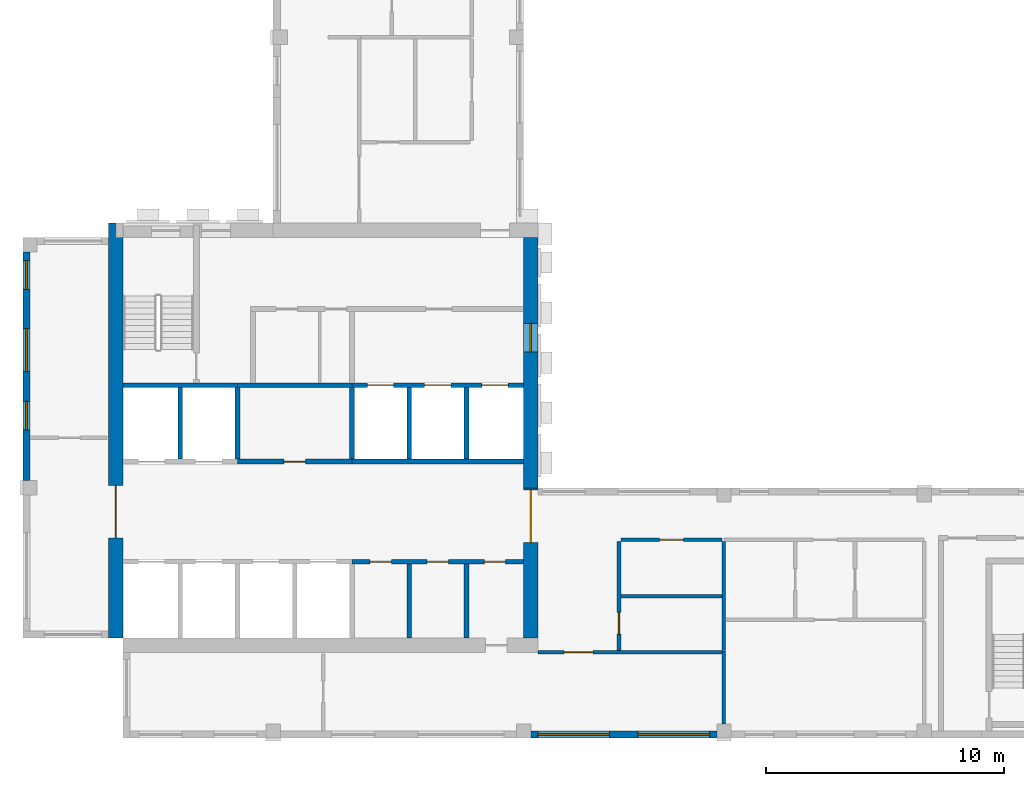
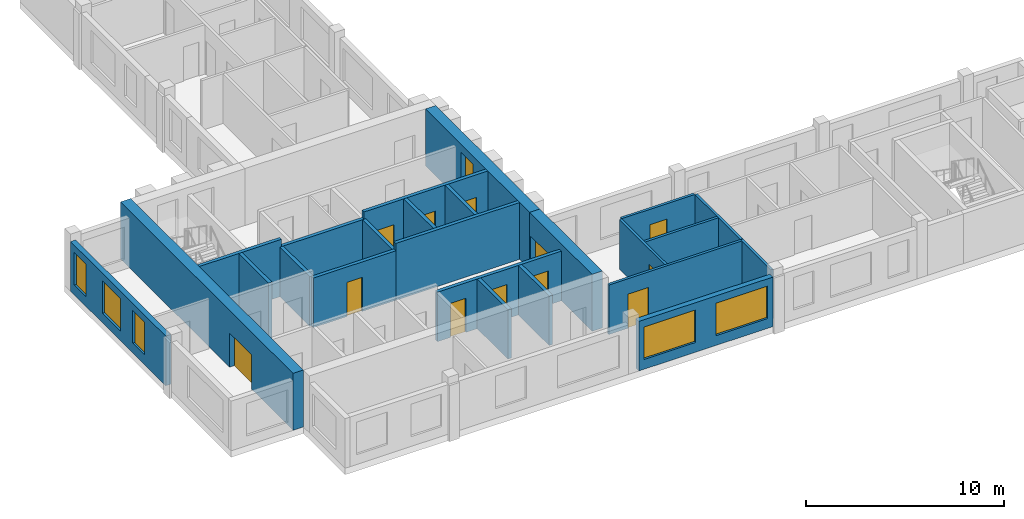
# One storey, part 2 of 10: 24 walls, 12 doors, 6 windows, 18 openings.
"""IFC4 building model written with IfcOpenShell, lengths in metres."""

from ifc_helpers import new_model, si_unit, direction, frame, frame_2d, origin, place, context, subcontext, project, spatial, rectangle, extrude, source, transform, mapped, material, layer, layer_set, type_object, element, fill, save


model = new_model("IFC4")

# Units and contexts
model_context = context("Model", 3, precision=1e-05, world=origin(), true_north=direction((0.0, 1.0)))
body_context = subcontext(model_context, "Body", "Model", "MODEL_VIEW")
ifc_project = project(units=[si_unit("LENGTHUNIT", "METRE"), si_unit("AREAUNIT", "SQUARE_METRE"), si_unit("VOLUMEUNIT", "CUBIC_METRE"), si_unit("PLANEANGLEUNIT", "RADIAN"), si_unit("MASSUNIT", "GRAM", prefix="KILO")], contexts=[model_context])

# Site, building, storey
site_placement = place(None, origin())
site = spatial("IfcSite", under=ifc_project, at=site_placement, CompositionType="ELEMENT")
building_placement = place(site_placement, origin())
building = spatial("IfcBuilding", under=site, at=building_placement, Name="Aurelian Terraces", CompositionType="ELEMENT")
storey_placement = place(building_placement, frame((0.0, 0.0, 365.0)))
storey = spatial("IfcBuildingStorey", under=building, at=storey_placement, Name="L87", CompositionType="ELEMENT", Elevation=365.0)

# Wall
ifc_material_1 = material(Name="Gypsum board on steel studs", Category="steel")
ifc_layer_1 = layer(ifc_material_1, 0.2)
ifc_layer_set_1 = layer_set([ifc_layer_1], Name="Core partition 200")
wall_type_1 = type_object("IfcWallType", Name="Core partition 200", PredefinedType="PARTITIONING", material=ifc_layer_set_1)
wall_1_placement = place(storey_placement, frame((16.2, 4.2, 0.0), z_axis=(0.0, 0.0, 1.0), x_axis=(0.0, 1.0, 0.0)))
element("IfcWall", 1, at=wall_1_placement, inside=storey, type_object=wall_type_1, Name="L87 core wall CS-A5", PredefinedType="PARTITIONING", context=body_context, shape_type="SweptSolid", body=[
    extrude(rectangle(XDim=3.1, YDim=0.2, at=frame_2d((1.55, 0.0))), origin(), (0.0, 0.0, 1.0), 3.05),
])

# Wall, openings, windows
ifc_material_2 = material(Name="Terracotta rainscreen cladding", Category="masonry")
ifc_layer_2 = layer(ifc_material_2, 0.3)
ifc_layer_set_2 = layer_set([ifc_layer_2], Name="EW-300")
wall_type_2 = type_object("IfcWallType", Name="EW-300", PredefinedType="STANDARD", material=ifc_layer_set_2)
wall_2_placement = place(storey_placement, frame((21.3, 0.15, 0.0), z_axis=(0.0, 0.0, 1.0), x_axis=(1.0, 0.0, 0.0)))
wall_2 = element("IfcWall", 2, at=wall_2_placement, inside=storey, type_object=wall_type_2, Name="External wall L87 F01.3", PredefinedType="STANDARD", context=body_context, shape_type="SweptSolid", body=[
    extrude(rectangle(XDim=7.8, YDim=0.3, at=frame_2d((3.9, 0.0))), origin(), (0.0, 0.0, 1.0), 3.05),
])
shared_shape_1 = source(origin(), body_context, "Body", "SweptSolid", [
    extrude(rectangle(XDim=3.0, YDim=2.0, at=frame_2d((1.5, 1.0))), frame((0.0, 0.16, 0.0), z_axis=(0.0, -1.0, 0.0), x_axis=(1.0, 0.0, 0.0)), (0.0, 0.0, 1.0), 0.32),
])
opening_1_placement = place(wall_2_placement, frame((0.3, 0.0, 0.6)))
opening_1 = element("IfcOpeningElement", 3, at=opening_1_placement, cuts=wall_2, Name="Opening W3020", PredefinedType="OPENING", context=body_context, shape_type="MappedRepresentation", body=[
    mapped(shared_shape_1, transform((0.0, 0.0, 0.0), scale=1.0)),
])
opening_2_placement = place(wall_2_placement, frame((4.5, 0.0, 0.6)))
opening_2 = element("IfcOpeningElement", 4, at=opening_2_placement, cuts=wall_2, Name="Opening W3020", PredefinedType="OPENING", context=body_context, shape_type="MappedRepresentation", body=[
    mapped(shared_shape_1, transform((0.0, 0.0, 0.0), scale=1.0)),
])
ifc_material_3 = material(Name="Clear glazing", Category="glass")
window_type_1 = type_object("IfcWindowType", Name="W-3000x2000", PartitioningType="SINGLE_PANEL", PredefinedType="WINDOW", material=ifc_material_3)
shared_shape_2 = source(origin(), body_context, "Body", "SweptSolid", [
    extrude(rectangle(XDim=3.0, YDim=2.0, at=frame_2d((1.5, 1.0))), frame((0.0, 0.03, 0.0), z_axis=(0.0, -1.0, 0.0), x_axis=(1.0, 0.0, 0.0)), (0.0, 0.0, 1.0), 0.06),
])
window_1_placement = place(opening_1_placement, origin())
window_1 = element("IfcWindow", 5, at=window_1_placement, inside=storey, type_object=window_type_1, Name="Window L87 L87-F01-03-0", OverallHeight=2.0, OverallWidth=3.0, PartitioningType="SINGLE_PANEL", PredefinedType="WINDOW", context=body_context, shape_type="MappedRepresentation", body=[
    mapped(shared_shape_2, transform((0.0, 0.0, 0.0), scale=1.0)),
])
fill(opening_1, window_1)
window_2_placement = place(opening_2_placement, origin())
window_2 = element("IfcWindow", 6, at=window_2_placement, inside=storey, type_object=window_type_1, Name="Window L87 L87-F01-03-1", OverallHeight=2.0, OverallWidth=3.0, PartitioningType="SINGLE_PANEL", PredefinedType="WINDOW", context=body_context, shape_type="MappedRepresentation", body=[
    mapped(shared_shape_2, transform((0.0, 0.0, 0.0), scale=1.0)),
])
fill(opening_2, window_2)

wall_3_placement = place(storey_placement, frame((0.15, 20.4, 0.0), z_axis=(0.0, 0.0, 1.0), x_axis=(0.0, -1.0, 0.0)))
wall_3 = element("IfcWall", 7, at=wall_3_placement, inside=storey, type_object=wall_type_2, Name="External wall L87 F12.22", PredefinedType="STANDARD", context=body_context, shape_type="SweptSolid", body=[
    extrude(rectangle(XDim=9.6, YDim=0.3, at=frame_2d((4.8, 0.0))), origin(), (0.0, 0.0, 1.0), 3.05),
])
shared_shape_3 = source(origin(), body_context, "Body", "SweptSolid", [
    extrude(rectangle(XDim=1.2, YDim=2.0, at=frame_2d((0.6, 1.0))), frame((0.0, 0.16, 0.0), z_axis=(0.0, -1.0, 0.0), x_axis=(1.0, 0.0, 0.0)), (0.0, 0.0, 1.0), 0.32),
])
opening_3_placement = place(wall_3_placement, frame((0.375, 0.0, 0.6)))
opening_3 = element("IfcOpeningElement", 8, at=opening_3_placement, cuts=wall_3, Name="Opening W1220", PredefinedType="OPENING", context=body_context, shape_type="MappedRepresentation", body=[
    mapped(shared_shape_3, transform((0.0, 0.0, 0.0), scale=1.0)),
])
shared_shape_4 = source(origin(), body_context, "Body", "SweptSolid", [
    extrude(rectangle(XDim=1.8, YDim=2.0, at=frame_2d((0.9, 1.0))), frame((0.0, 0.16, 0.0), z_axis=(0.0, -1.0, 0.0), x_axis=(1.0, 0.0, 0.0)), (0.0, 0.0, 1.0), 0.32),
])
opening_4_placement = place(wall_3_placement, frame((3.225, 0.0, 0.6)))
opening_4 = element("IfcOpeningElement", 9, at=opening_4_placement, cuts=wall_3, Name="Opening W1820", PredefinedType="OPENING", context=body_context, shape_type="MappedRepresentation", body=[
    mapped(shared_shape_4, transform((0.0, 0.0, 0.0), scale=1.0)),
])
opening_5_placement = place(wall_3_placement, frame((6.2688, 0.0, 0.6)))
opening_5 = element("IfcOpeningElement", 10, at=opening_5_placement, cuts=wall_3, Name="Opening W1220", PredefinedType="OPENING", context=body_context, shape_type="MappedRepresentation", body=[
    mapped(shared_shape_3, transform((0.0, 0.0, 0.0), scale=1.0)),
])
window_type_2 = type_object("IfcWindowType", Name="W-1200x2000", PartitioningType="SINGLE_PANEL", PredefinedType="WINDOW", material=ifc_material_3)
shared_shape_5 = source(origin(), body_context, "Body", "SweptSolid", [
    extrude(rectangle(XDim=1.2, YDim=2.0, at=frame_2d((0.6, 1.0))), frame((0.0, 0.03, 0.0), z_axis=(0.0, -1.0, 0.0), x_axis=(1.0, 0.0, 0.0)), (0.0, 0.0, 1.0), 0.06),
])
window_3_placement = place(opening_3_placement, origin())
window_3 = element("IfcWindow", 11, at=window_3_placement, inside=storey, type_object=window_type_2, Name="Window L87 L87-F12-22-0", OverallHeight=2.0, OverallWidth=1.2, PartitioningType="SINGLE_PANEL", PredefinedType="WINDOW", context=body_context, shape_type="MappedRepresentation", body=[
    mapped(shared_shape_5, transform((0.0, 0.0, 0.0), scale=1.0)),
])
fill(opening_3, window_3)
window_4_placement = place(opening_5_placement, origin())
window_4 = element("IfcWindow", 12, at=window_4_placement, inside=storey, type_object=window_type_2, Name="Window L87 L87-F12-22-G0-56", OverallHeight=2.0, OverallWidth=1.2, PartitioningType="SINGLE_PANEL", PredefinedType="WINDOW", context=body_context, shape_type="MappedRepresentation", body=[
    mapped(shared_shape_5, transform((0.0, 0.0, 0.0), scale=1.0)),
])
fill(opening_5, window_4)
window_type_3 = type_object("IfcWindowType", Name="W-1800x2000", PartitioningType="SINGLE_PANEL", PredefinedType="WINDOW", material=ifc_material_3)
shared_shape_6 = source(origin(), body_context, "Body", "SweptSolid", [
    extrude(rectangle(XDim=1.8, YDim=2.0, at=frame_2d((0.9, 1.0))), frame((0.0, 0.03, 0.0), z_axis=(0.0, -1.0, 0.0), x_axis=(1.0, 0.0, 0.0)), (0.0, 0.0, 1.0), 0.06),
])
window_5_placement = place(opening_4_placement, origin())
window_5 = element("IfcWindow", 13, at=window_5_placement, inside=storey, type_object=window_type_3, Name="Window L87 L87-F12-22-1", OverallHeight=2.0, OverallWidth=1.8, PartitioningType="SINGLE_PANEL", PredefinedType="WINDOW", context=body_context, shape_type="MappedRepresentation", body=[
    mapped(shared_shape_6, transform((0.0, 0.0, 0.0), scale=1.0)),
])
fill(opening_4, window_5)

# Wall, opening, door
ifc_layer_3 = layer(ifc_material_1, 0.15)
ifc_layer_set_3 = layer_set([ifc_layer_3], Name="Fire partition 150")
wall_type_3 = type_object("IfcWallType", Name="Fire partition 150", PredefinedType="PARTITIONING", material=ifc_layer_set_3)
wall_4_placement = place(storey_placement, frame((29.325, 8.325, 0.0), z_axis=(0.0, 0.0, 1.0), x_axis=(-1.0, 0.0, 0.0)))
wall_4 = element("IfcWall", 14, at=wall_4_placement, inside=storey, type_object=wall_type_3, Name="Corridor wall", PredefinedType="PARTITIONING", context=body_context, shape_type="SweptSolid", body=[
    extrude(rectangle(XDim=4.25, YDim=0.15, at=frame_2d((2.125, 0.0))), origin(), (0.0, 0.0, 1.0), 3.05),
])
shared_shape_7 = source(origin(), body_context, "Body", "SweptSolid", [
    extrude(rectangle(XDim=1.0, YDim=2.1, at=frame_2d((0.5, 1.05))), frame((0.0, 0.085, 0.0), z_axis=(0.0, -1.0, 0.0), x_axis=(1.0, 0.0, 0.0)), (0.0, 0.0, 1.0), 0.17),
])
opening_6_placement = place(wall_4_placement, frame((1.625, 0.0, 0.0)))
opening_6 = element("IfcOpeningElement", 15, at=opening_6_placement, cuts=wall_4, Name="Opening 787001", PredefinedType="OPENING", context=body_context, shape_type="MappedRepresentation", body=[
    mapped(shared_shape_7, transform((0.0, 0.0, 0.0), scale=1.0)),
])
ifc_material_4 = material(Name="Steel door leaf", Category="steel")
door_type_1 = type_object("IfcDoorType", Name="Entrance fire door 1000x2100 right", OperationType="SINGLE_SWING_RIGHT", PredefinedType="DOOR", material=ifc_material_4)
shared_shape_8 = source(origin(), body_context, "Body", "SweptSolid", [
    extrude(rectangle(XDim=1.0, YDim=2.1, at=frame_2d((0.5, 1.05))), frame((0.0, 0.025, 0.0), z_axis=(0.0, -1.0, 0.0), x_axis=(1.0, 0.0, 0.0)), (0.0, 0.0, 1.0), 0.05),
])
door_1_placement = place(opening_6_placement, origin())
door_1 = element("IfcDoor", 16, at=door_1_placement, inside=storey, type_object=door_type_1, Name="Door 787001", OperationType="SINGLE_SWING_RIGHT", OverallHeight=2.1, OverallWidth=1.0, PredefinedType="DOOR", context=body_context, shape_type="MappedRepresentation", body=[
    mapped(shared_shape_8, transform((0.0, 0.0, 0.0), scale=1.0)),
])
fill(opening_6, door_1)

# Walls
wall_5_placement = place(storey_placement, frame((29.4, 0.599, 0.0), z_axis=(0.0, 0.0, 1.0), x_axis=(0.0, 1.0, 0.0)))
element("IfcWall", 17, at=wall_5_placement, inside=storey, type_object=wall_type_3, Name="Party wall", PredefinedType="PARTITIONING", context=body_context, shape_type="SweptSolid", body=[
    extrude(rectangle(XDim=3.056, YDim=0.15, at=frame_2d((1.528, 0.0))), origin(), (0.0, 0.0, 1.0), 3.05),
])
ifc_material_5 = material(Name="Concrete fc' 40 MPa", Category="concrete")
ifc_layer_4 = layer(ifc_material_5, 0.2)
ifc_layer_set_4 = layer_set([ifc_layer_4], Name="Lift shaft wall 200")
wall_type_4 = type_object("IfcWallType", Name="Lift shaft wall 200", PredefinedType="SOLIDWALL", material=ifc_layer_set_4)
wall_6_placement = place(storey_placement, frame((9.0, 11.7, 0.0), z_axis=(0.0, 0.0, 1.0), x_axis=(0.0, 1.0, 0.0)))
element("IfcWall", 18, at=wall_6_placement, inside=storey, type_object=wall_type_4, Name="L87 core wall CD-B2", PredefinedType="SOLIDWALL", context=body_context, shape_type="SweptSolid", body=[
    extrude(rectangle(XDim=3.0, YDim=0.2, at=frame_2d((1.5, 0.0))), origin(), (0.0, 0.0, 1.0), 3.05),
])

# Wall, openings, doors
wall_7_placement = place(storey_placement, frame((13.8, 7.4, 0.0), z_axis=(0.0, 0.0, 1.0), x_axis=(1.0, 0.0, 0.0)))
wall_7 = element("IfcWall", 19, at=wall_7_placement, inside=storey, type_object=wall_type_4, Name="L87 core wall CF-AF2", PredefinedType="SOLIDWALL", context=body_context, shape_type="SweptSolid", body=[
    extrude(rectangle(XDim=7.2, YDim=0.2, at=frame_2d((3.6, 0.0))), origin(), (0.0, 0.0, 1.0), 3.05),
])
shared_shape_9 = source(origin(), body_context, "Body", "SweptSolid", [
    extrude(rectangle(XDim=0.9, YDim=2.1, at=frame_2d((0.45, 1.05))), frame((0.0, 0.11, 0.0), z_axis=(0.0, -1.0, 0.0), x_axis=(1.0, 0.0, 0.0)), (0.0, 0.0, 1.0), 0.22),
])
opening_7_placement = place(wall_7_placement, frame((0.75, 0.0, 0.0)))
opening_7 = element("IfcOpeningElement", 20, at=opening_7_placement, cuts=wall_7, Name="Opening 69004", PredefinedType="OPENING", context=body_context, shape_type="MappedRepresentation", body=[
    mapped(shared_shape_9, transform((0.0, 0.0, 0.0), scale=1.0)),
])
opening_8_placement = place(wall_7_placement, frame((3.15, 0.0, 0.0)))
opening_8 = element("IfcOpeningElement", 21, at=opening_8_placement, cuts=wall_7, Name="Opening 69005", PredefinedType="OPENING", context=body_context, shape_type="MappedRepresentation", body=[
    mapped(shared_shape_9, transform((0.0, 0.0, 0.0), scale=1.0)),
])
opening_9_placement = place(wall_7_placement, frame((5.55, 0.0, 0.0)))
opening_9 = element("IfcOpeningElement", 22, at=opening_9_placement, cuts=wall_7, Name="Opening 69006", PredefinedType="OPENING", context=body_context, shape_type="MappedRepresentation", body=[
    mapped(shared_shape_9, transform((0.0, 0.0, 0.0), scale=1.0)),
])
door_type_2 = type_object("IfcDoorType", Name="Core service door 900x2100", OperationType="SINGLE_SWING_LEFT", PredefinedType="DOOR", material=ifc_material_4)
shared_shape_10 = source(origin(), body_context, "Body", "SweptSolid", [
    extrude(rectangle(XDim=0.9, YDim=2.1, at=frame_2d((0.45, 1.05))), frame((0.0, 0.025, 0.0), z_axis=(0.0, -1.0, 0.0), x_axis=(1.0, 0.0, 0.0)), (0.0, 0.0, 1.0), 0.05),
])
door_2_placement = place(opening_7_placement, origin())
door_2 = element("IfcDoor", 23, at=door_2_placement, inside=storey, type_object=door_type_2, Name="Room door 69004", OperationType="SINGLE_SWING_LEFT", OverallHeight=2.1, OverallWidth=0.9, PredefinedType="DOOR", context=body_context, shape_type="MappedRepresentation", body=[
    mapped(shared_shape_10, transform((0.0, 0.0, 0.0), scale=1.0)),
])
fill(opening_7, door_2)
door_type_3 = type_object("IfcDoorType", Name="Core service door 900x2100 right", OperationType="SINGLE_SWING_RIGHT", PredefinedType="DOOR", material=ifc_material_4)
door_3_placement = place(opening_8_placement, origin())
door_3 = element("IfcDoor", 24, at=door_3_placement, inside=storey, type_object=door_type_3, Name="Room door 69005", OperationType="SINGLE_SWING_RIGHT", OverallHeight=2.1, OverallWidth=0.9, PredefinedType="DOOR", context=body_context, shape_type="MappedRepresentation", body=[
    mapped(shared_shape_10, transform((0.0, 0.0, 0.0), scale=1.0)),
])
fill(opening_8, door_3)
door_4_placement = place(opening_9_placement, origin())
door_4 = element("IfcDoor", 25, at=door_4_placement, inside=storey, type_object=door_type_2, Name="Room door 69006", OperationType="SINGLE_SWING_LEFT", OverallHeight=2.1, OverallWidth=0.9, PredefinedType="DOOR", context=body_context, shape_type="MappedRepresentation", body=[
    mapped(shared_shape_10, transform((0.0, 0.0, 0.0), scale=1.0)),
])
fill(opening_9, door_4)

# Wall, opening, door
wall_8_placement = place(storey_placement, frame((9.0, 11.6, 0.0), z_axis=(0.0, 0.0, 1.0), x_axis=(1.0, 0.0, 0.0)))
wall_8 = element("IfcWall", 26, at=wall_8_placement, inside=storey, type_object=wall_type_4, Name="L87 core wall CF-BF2", PredefinedType="SOLIDWALL", context=body_context, shape_type="SweptSolid", body=[
    extrude(rectangle(XDim=4.8, YDim=0.2, at=frame_2d((2.4, 0.0))), origin(), (0.0, 0.0, 1.0), 3.05),
])
opening_10_placement = place(wall_8_placement, frame((1.95, 0.0, 0.0)))
opening_10 = element("IfcOpeningElement", 27, at=opening_10_placement, cuts=wall_8, Name="Opening 69009", PredefinedType="OPENING", context=body_context, shape_type="MappedRepresentation", body=[
    mapped(shared_shape_9, transform((0.0, 0.0, 0.0), scale=1.0)),
])
door_5_placement = place(opening_10_placement, origin())
door_5 = element("IfcDoor", 28, at=door_5_placement, inside=storey, type_object=door_type_3, Name="Room door 69009", OperationType="SINGLE_SWING_RIGHT", OverallHeight=2.1, OverallWidth=0.9, PredefinedType="DOOR", context=body_context, shape_type="MappedRepresentation", body=[
    mapped(shared_shape_10, transform((0.0, 0.0, 0.0), scale=1.0)),
])
fill(opening_10, door_5)

ifc_layer_5 = layer(ifc_material_1, 0.15)
ifc_layer_set_5 = layer_set([ifc_layer_5], Name="Partition 150")
wall_type_5 = type_object("IfcWallType", Name="Partition 150", PredefinedType="PARTITIONING", material=ifc_layer_set_5)
wall_9_placement = place(storey_placement, frame((25.0, 8.25, 0.0), z_axis=(0.0, 0.0, 1.0), x_axis=(0.0, -1.0, 0.0)))
wall_9 = element("IfcWall", 29, at=wall_9_placement, inside=storey, type_object=wall_type_5, Name="Partition", PredefinedType="PARTITIONING", context=body_context, shape_type="SweptSolid", body=[
    extrude(rectangle(XDim=4.575, YDim=0.15, at=frame_2d((2.2875, 0.0))), origin(), (0.0, 0.0, 1.0), 3.05),
])
shared_shape_11 = source(origin(), body_context, "Body", "SweptSolid", [
    extrude(rectangle(XDim=0.9, YDim=2.1, at=frame_2d((0.45, 1.05))), frame((0.0, 0.085, 0.0), z_axis=(0.0, -1.0, 0.0), x_axis=(1.0, 0.0, 0.0)), (0.0, 0.0, 1.0), 0.17),
])
opening_11_placement = place(wall_9_placement, frame((2.981, 0.0, 0.0)))
opening_11 = element("IfcOpeningElement", 30, at=opening_11_placement, cuts=wall_9, Name="Opening 787002", PredefinedType="OPENING", context=body_context, shape_type="MappedRepresentation", body=[
    mapped(shared_shape_11, transform((0.0, 0.0, 0.0), scale=1.0)),
])
ifc_material_6 = material(Name="Timber door leaf", Category="wood")
door_type_4 = type_object("IfcDoorType", Name="Room door 900x2100 left", OperationType="SINGLE_SWING_LEFT", PredefinedType="DOOR", material=ifc_material_6)
door_6_placement = place(opening_11_placement, origin())
door_6 = element("IfcDoor", 31, at=door_6_placement, inside=storey, type_object=door_type_4, Name="Door 787002", OperationType="SINGLE_SWING_LEFT", OverallHeight=2.1, OverallWidth=0.9, PredefinedType="DOOR", context=body_context, shape_type="MappedRepresentation", body=[
    mapped(shared_shape_10, transform((0.0, 0.0, 0.0), scale=1.0)),
])
fill(opening_11, door_6)

wall_10_placement = place(storey_placement, frame((21.6, 3.6, 0.0), z_axis=(0.0, 0.0, 1.0), x_axis=(1.0, 0.0, 0.0)))
wall_10 = element("IfcWall", 32, at=wall_10_placement, inside=storey, type_object=wall_type_5, Name="Partition", PredefinedType="PARTITIONING", context=body_context, shape_type="SweptSolid", body=[
    extrude(rectangle(XDim=7.725, YDim=0.15, at=frame_2d((3.8625, 0.0))), origin(), (0.0, 0.0, 1.0), 3.05),
])
shared_shape_12 = source(origin(), body_context, "Body", "SweptSolid", [
    extrude(rectangle(XDim=1.2, YDim=2.1, at=frame_2d((0.6, 1.05))), frame((0.0, 0.085, 0.0), z_axis=(0.0, -1.0, 0.0), x_axis=(1.0, 0.0, 0.0)), (0.0, 0.0, 1.0), 0.17),
])
opening_12_placement = place(wall_10_placement, frame((1.1, 0.0, 0.0)))
opening_12 = element("IfcOpeningElement", 33, at=opening_12_placement, cuts=wall_10, Name="Opening 787004", PredefinedType="OPENING", context=body_context, shape_type="MappedRepresentation", body=[
    mapped(shared_shape_12, transform((0.0, 0.0, 0.0), scale=1.0)),
])
door_type_5 = type_object("IfcDoorType", Name="Room door 1200x2100 left", OperationType="SINGLE_SWING_LEFT", PredefinedType="DOOR", material=ifc_material_6)
shared_shape_13 = source(origin(), body_context, "Body", "SweptSolid", [
    extrude(rectangle(XDim=1.2, YDim=2.1, at=frame_2d((0.6, 1.05))), frame((0.0, 0.025, 0.0), z_axis=(0.0, -1.0, 0.0), x_axis=(1.0, 0.0, 0.0)), (0.0, 0.0, 1.0), 0.05),
])
door_7_placement = place(opening_12_placement, origin())
door_7 = element("IfcDoor", 34, at=door_7_placement, inside=storey, type_object=door_type_5, Name="Door 787004", OperationType="SINGLE_SWING_LEFT", OverallHeight=2.1, OverallWidth=1.2, PredefinedType="DOOR", context=body_context, shape_type="MappedRepresentation", body=[
    mapped(shared_shape_13, transform((0.0, 0.0, 0.0), scale=1.0)),
])
fill(opening_12, door_7)

ifc_material_7 = material(Name="Concrete fc' 55 MPa", Category="concrete")
ifc_layer_6 = layer(ifc_material_7, 0.6)
ifc_layer_set_6 = layer_set([ifc_layer_6], Name="CORE WALL 600 FC55")
wall_type_6 = type_object("IfcWallType", Name="CORE WALL 600 FC55", PredefinedType="SHEAR", material=ifc_layer_set_6)
shared_shape_14 = source(origin(), body_context, "Body", "SweptSolid", [
    extrude(rectangle(XDim=17.4, YDim=0.6, at=frame_2d((8.7, 0.0))), origin(), (0.0, 0.0, 1.0), 3.5),
])
wall_11_placement = place(storey_placement, frame((3.9, 4.2, 0.0), z_axis=(0.0, 0.0, 1.0), x_axis=(0.0, 1.0, 0.0)))
wall_11 = element("IfcWall", 35, at=wall_11_placement, inside=storey, type_object=wall_type_6, Name="Core wall W L87", PredefinedType="SHEAR", context=body_context, shape_type="MappedRepresentation", body=[
    mapped(shared_shape_14, transform((0.0, 0.0, 0.0), scale=1.0)),
])
shared_shape_15 = source(origin(), body_context, "Body", "SweptSolid", [
    extrude(rectangle(XDim=2.2, YDim=2.1, at=frame_2d((1.1, 1.05))), frame((0.0, 0.31, 0.0), z_axis=(0.0, -1.0, 0.0), x_axis=(1.0, 0.0, 0.0)), (0.0, 0.0, 1.0), 0.62),
])
opening_13_placement = place(wall_11_placement, frame((4.2, 0.0, 0.0)))
opening_13 = element("IfcOpeningElement", 36, at=opening_13_placement, cuts=wall_11, Name="Opening 69024", PredefinedType="OPENING", context=body_context, shape_type="MappedRepresentation", body=[
    mapped(shared_shape_15, transform((0.0, 0.0, 0.0), scale=1.0)),
])
door_type_6 = type_object("IfcDoorType", Name="Core double door 2200x2100", OperationType="DOUBLE_DOOR_SINGLE_SWING", PredefinedType="DOOR", material=ifc_material_4)
shared_shape_16 = source(origin(), body_context, "Body", "SweptSolid", [
    extrude(rectangle(XDim=2.2, YDim=2.1, at=frame_2d((1.1, 1.05))), frame((0.0, 0.025, 0.0), z_axis=(0.0, -1.0, 0.0), x_axis=(1.0, 0.0, 0.0)), (0.0, 0.0, 1.0), 0.05),
])
door_8_placement = place(opening_13_placement, origin())
door_8 = element("IfcDoor", 37, at=door_8_placement, inside=storey, type_object=door_type_6, Name="Core door 69024", OperationType="DOUBLE_DOOR_SINGLE_SWING", OverallHeight=2.1, OverallWidth=2.2, PredefinedType="DOOR", context=body_context, shape_type="MappedRepresentation", body=[
    mapped(shared_shape_16, transform((0.0, 0.0, 0.0), scale=1.0)),
])
fill(opening_13, door_8)

shared_shape_17 = source(origin(), body_context, "Body", "SweptSolid", [
    extrude(rectangle(XDim=6.3, YDim=0.6, at=frame_2d((3.15, 0.0))), origin(), (0.0, 0.0, 1.0), 3.5),
])
wall_12_placement = place(storey_placement, frame((21.3, 4.2, 0.0), z_axis=(0.0, 0.0, 1.0), x_axis=(0.0, 1.0, 0.0)))
wall_12 = element("IfcWall", 38, at=wall_12_placement, inside=storey, type_object=wall_type_6, Name="Core wall E L87", PredefinedType="SHEAR", context=body_context, shape_type="MappedRepresentation", body=[
    mapped(shared_shape_17, transform((0.0, 0.0, 0.0), scale=1.0)),
])
opening_14_placement = place(wall_12_placement, frame((4.0, 0.0, 0.0)))
opening_14 = element("IfcOpeningElement", 39, at=opening_14_placement, cuts=wall_12, Name="Opening 69023", PredefinedType="OPENING", context=body_context, shape_type="MappedRepresentation", body=[
    mapped(shared_shape_15, transform((0.0, 0.0, 0.0), scale=1.0)),
])
door_9_placement = place(opening_14_placement, origin())
door_9 = element("IfcDoor", 40, at=door_9_placement, inside=storey, type_object=door_type_6, Name="Core door 69023", OperationType="DOUBLE_DOOR_SINGLE_SWING", OverallHeight=2.1, OverallWidth=2.2, PredefinedType="DOOR", context=body_context, shape_type="MappedRepresentation", body=[
    mapped(shared_shape_16, transform((0.0, 0.0, 0.0), scale=1.0)),
])
fill(opening_14, door_9)

# Wall, opening, window
shared_shape_18 = source(origin(), body_context, "Body", "SweptSolid", [
    extrude(rectangle(XDim=10.5, YDim=0.6, at=frame_2d((5.25, 0.0))), origin(), (0.0, 0.0, 1.0), 3.5),
])
wall_13_placement = place(storey_placement, frame((21.3, 10.5, 0.0), z_axis=(0.0, 0.0, 1.0), x_axis=(0.0, 1.0, 0.0)))
wall_13 = element("IfcWall", 41, at=wall_13_placement, inside=storey, type_object=wall_type_6, Name="Core wall E L87 exposed", PredefinedType="SHEAR", context=body_context, shape_type="MappedRepresentation", body=[
    mapped(shared_shape_18, transform((0.0, 0.0, 0.0), scale=1.0)),
])
shared_shape_19 = source(origin(), body_context, "Body", "SweptSolid", [
    extrude(rectangle(XDim=1.2, YDim=2.4, at=frame_2d((0.6, 1.2))), frame((0.0, 0.31, 0.0), z_axis=(0.0, -1.0, 0.0), x_axis=(1.0, 0.0, 0.0)), (0.0, 0.0, 1.0), 0.62),
])
opening_15_placement = place(wall_13_placement, frame((5.7, 0.0, 0.6)))
opening_15 = element("IfcOpeningElement", 42, at=opening_15_placement, cuts=wall_13, Name="Opening W-CL", PredefinedType="OPENING", context=body_context, shape_type="MappedRepresentation", body=[
    mapped(shared_shape_19, transform((0.0, 0.0, 0.0), scale=1.0)),
])
ifc_material_8 = material(Name="Fire-resisting glazing", Category="glass")
window_type_4 = type_object("IfcWindowType", Name="Core lobby window 1200x2400", PartitioningType="SINGLE_PANEL", PredefinedType="WINDOW", material=ifc_material_8)
shared_shape_20 = source(origin(), body_context, "Body", "SweptSolid", [
    extrude(rectangle(XDim=1.2, YDim=2.4, at=frame_2d((0.6, 1.2))), frame((0.0, 0.03, 0.0), z_axis=(0.0, -1.0, 0.0), x_axis=(1.0, 0.0, 0.0)), (0.0, 0.0, 1.0), 0.06),
])
window_6_placement = place(opening_15_placement, origin())
window_6 = element("IfcWindow", 43, at=window_6_placement, inside=storey, type_object=window_type_4, Name="Lobby window L87 E70", OverallHeight=2.4, OverallWidth=1.2, PartitioningType="SINGLE_PANEL", PredefinedType="WINDOW", context=body_context, shape_type="MappedRepresentation", body=[
    mapped(shared_shape_20, transform((0.0, 0.0, 0.0), scale=1.0)),
])
fill(opening_15, window_6)

# Walls
shared_shape_21 = source(origin(), body_context, "Body", "SweptSolid", [
    extrude(rectangle(XDim=3.0, YDim=0.2, at=frame_2d((1.5, 0.0))), origin(), (0.0, 0.0, 1.0), 3.5),
])
for number, where, z_axis, x_axis, name in (
    (44, (6.6, 11.7, 0.0), (0.0, 0.0, 1.0), (0.0, 1.0, 0.0), "L87 core wall CD-B1"),
    (45, (16.2, 11.7, 0.0), (0.0, 0.0, 1.0), (0.0, 1.0, 0.0), "L87 core wall CD-B5"),
    (46, (18.6, 11.7, 0.0), (0.0, 0.0, 1.0), (0.0, 1.0, 0.0), "L87 core wall CD-B6"),
):
    element("IfcWall", number, at=place(storey_placement, frame(where, z_axis=z_axis, x_axis=x_axis)), inside=storey, type_object=wall_type_4, Name=name, PredefinedType="SOLIDWALL", context=body_context, shape_type="MappedRepresentation", body=[
        mapped(shared_shape_21, transform((0.0, 0.0, 0.0), scale=1.0)),
    ])
shared_shape_22 = source(origin(), body_context, "Body", "SweptSolid", [
    extrude(rectangle(XDim=4.8, YDim=0.2, at=frame_2d((2.4, 0.0))), origin(), (0.0, 0.0, 1.0), 3.5),
])
wall_14_placement = place(storey_placement, frame((4.2, 14.8, 0.0), z_axis=(0.0, 0.0, 1.0), x_axis=(1.0, 0.0, 0.0)))
element("IfcWall", 47, at=wall_14_placement, inside=storey, type_object=wall_type_4, Name="L87 core wall CF-BB1", PredefinedType="SOLIDWALL", context=body_context, shape_type="MappedRepresentation", body=[
    mapped(shared_shape_22, transform((0.0, 0.0, 0.0), scale=1.0)),
])
shared_shape_23 = source(origin(), body_context, "Body", "SweptSolid", [
    extrude(rectangle(XDim=7.2, YDim=0.2, at=frame_2d((3.6, 0.0))), origin(), (0.0, 0.0, 1.0), 3.5),
])
wall_15_placement = place(storey_placement, frame((13.8, 11.6, 0.0), z_axis=(0.0, 0.0, 1.0), x_axis=(1.0, 0.0, 0.0)))
element("IfcWall", 48, at=wall_15_placement, inside=storey, type_object=wall_type_4, Name="L87 core wall CF-BF3", PredefinedType="SOLIDWALL", context=body_context, shape_type="MappedRepresentation", body=[
    mapped(shared_shape_23, transform((0.0, 0.0, 0.0), scale=1.0)),
])

# Wall, openings, doors
wall_16_placement = place(storey_placement, frame((13.8, 14.8, 0.0), z_axis=(0.0, 0.0, 1.0), x_axis=(1.0, 0.0, 0.0)))
wall_16 = element("IfcWall", 49, at=wall_16_placement, inside=storey, type_object=wall_type_4, Name="L87 core wall CF-BB3", PredefinedType="SOLIDWALL", context=body_context, shape_type="MappedRepresentation", body=[
    mapped(shared_shape_23, transform((0.0, 0.0, 0.0), scale=1.0)),
])
shared_shape_24 = source(origin(), body_context, "Body", "SweptSolid", [
    extrude(rectangle(XDim=1.1, YDim=2.1, at=frame_2d((0.55, 1.05))), frame((0.0, 0.11, 0.0), z_axis=(0.0, -1.0, 0.0), x_axis=(1.0, 0.0, 0.0)), (0.0, 0.0, 1.0), 0.22),
])
opening_16_placement = place(wall_16_placement, frame((0.65, 0.0, 0.0)))
opening_16 = element("IfcOpeningElement", 50, at=opening_16_placement, cuts=wall_16, Name="Opening 69010", PredefinedType="OPENING", context=body_context, shape_type="MappedRepresentation", body=[
    mapped(shared_shape_24, transform((0.0, 0.0, 0.0), scale=1.0)),
])
opening_17_placement = place(wall_16_placement, frame((3.05, 0.0, 0.0)))
opening_17 = element("IfcOpeningElement", 51, at=opening_17_placement, cuts=wall_16, Name="Opening 69011", PredefinedType="OPENING", context=body_context, shape_type="MappedRepresentation", body=[
    mapped(shared_shape_24, transform((0.0, 0.0, 0.0), scale=1.0)),
])
opening_18_placement = place(wall_16_placement, frame((5.45, 0.0, 0.0)))
opening_18 = element("IfcOpeningElement", 52, at=opening_18_placement, cuts=wall_16, Name="Opening 69012", PredefinedType="OPENING", context=body_context, shape_type="MappedRepresentation", body=[
    mapped(shared_shape_24, transform((0.0, 0.0, 0.0), scale=1.0)),
])
ifc_material_9 = material(Name="Stainless steel", Category="steel")
door_type_7 = type_object("IfcDoorType", Name="Lift landing door 1100x2100", OperationType="SLIDING_TO_LEFT", PredefinedType="DOOR", material=ifc_material_9)
shared_shape_25 = source(origin(), body_context, "Body", "SweptSolid", [
    extrude(rectangle(XDim=1.1, YDim=2.1, at=frame_2d((0.55, 1.05))), frame((0.0, 0.025, 0.0), z_axis=(0.0, -1.0, 0.0), x_axis=(1.0, 0.0, 0.0)), (0.0, 0.0, 1.0), 0.05),
])
door_10_placement = place(opening_16_placement, origin())
door_10 = element("IfcDoor", 53, at=door_10_placement, inside=storey, type_object=door_type_7, Name="Lift landing door F1 L87", OperationType="SLIDING_TO_LEFT", OverallHeight=2.1, OverallWidth=1.1, PredefinedType="DOOR", context=body_context, shape_type="MappedRepresentation", body=[
    mapped(shared_shape_25, transform((0.0, 0.0, 0.0), scale=1.0)),
])
fill(opening_16, door_10)
door_11_placement = place(opening_17_placement, origin())
door_11 = element("IfcDoor", 54, at=door_11_placement, inside=storey, type_object=door_type_7, Name="Lift landing door F2 L87", OperationType="SLIDING_TO_LEFT", OverallHeight=2.1, OverallWidth=1.1, PredefinedType="DOOR", context=body_context, shape_type="MappedRepresentation", body=[
    mapped(shared_shape_25, transform((0.0, 0.0, 0.0), scale=1.0)),
])
fill(opening_17, door_11)
door_12_placement = place(opening_18_placement, origin())
door_12 = element("IfcDoor", 55, at=door_12_placement, inside=storey, type_object=door_type_7, Name="Lift landing door F3 L87", OperationType="SLIDING_TO_LEFT", OverallHeight=2.1, OverallWidth=1.1, PredefinedType="DOOR", context=body_context, shape_type="MappedRepresentation", body=[
    mapped(shared_shape_25, transform((0.0, 0.0, 0.0), scale=1.0)),
])
fill(opening_18, door_12)

# Walls
shared_shape_26 = source(origin(), body_context, "Body", "SweptSolid", [
    extrude(rectangle(XDim=3.1, YDim=0.2, at=frame_2d((1.55, 0.0))), origin(), (0.0, 0.0, 1.0), 3.05),
])
wall_17_placement = place(storey_placement, frame((18.6, 4.2, 0.0), z_axis=(0.0, 0.0, 1.0), x_axis=(0.0, 1.0, 0.0)))
element("IfcWall", 56, at=wall_17_placement, inside=storey, type_object=wall_type_1, Name="L87 core wall CS-A6", PredefinedType="PARTITIONING", context=body_context, shape_type="MappedRepresentation", body=[
    mapped(shared_shape_26, transform((0.0, 0.0, 0.0), scale=1.0)),
])
shared_shape_27 = source(origin(), body_context, "Body", "SweptSolid", [
    extrude(rectangle(XDim=3.0, YDim=0.2, at=frame_2d((1.5, 0.0))), origin(), (0.0, 0.0, 1.0), 3.05),
])
wall_18_placement = place(storey_placement, frame((13.8, 11.7, 0.0), z_axis=(0.0, 0.0, 1.0), x_axis=(0.0, 1.0, 0.0)))
element("IfcWall", 57, at=wall_18_placement, inside=storey, type_object=wall_type_4, Name="L87 core wall CD-B4", PredefinedType="SOLIDWALL", context=body_context, shape_type="MappedRepresentation", body=[
    mapped(shared_shape_27, transform((0.0, 0.0, 0.0), scale=1.0)),
])
shared_shape_28 = source(origin(), body_context, "Body", "SweptSolid", [
    extrude(rectangle(XDim=4.8, YDim=0.2, at=frame_2d((2.4, 0.0))), origin(), (0.0, 0.0, 1.0), 3.05),
])
wall_19_placement = place(storey_placement, frame((9.0, 14.8, 0.0), z_axis=(0.0, 0.0, 1.0), x_axis=(1.0, 0.0, 0.0)))
element("IfcWall", 58, at=wall_19_placement, inside=storey, type_object=wall_type_4, Name="L87 core wall CF-BB2", PredefinedType="SOLIDWALL", context=body_context, shape_type="MappedRepresentation", body=[
    mapped(shared_shape_28, transform((0.0, 0.0, 0.0), scale=1.0)),
])
shared_shape_29 = source(origin(), body_context, "Body", "SweptSolid", [
    extrude(rectangle(XDim=4.575, YDim=0.15, at=frame_2d((2.2875, 0.0))), origin(), (0.0, 0.0, 1.0), 3.05),
])
wall_20_placement = place(storey_placement, frame((29.4, 3.675, 0.0), z_axis=(0.0, 0.0, 1.0), x_axis=(0.0, 1.0, 0.0)))
element("IfcWall", 59, at=wall_20_placement, inside=storey, type_object=wall_type_5, Name="Partition", PredefinedType="PARTITIONING", context=body_context, shape_type="MappedRepresentation", body=[
    mapped(shared_shape_29, transform((0.0, 0.0, 0.0), scale=1.0)),
])
shared_shape_30 = source(origin(), body_context, "Body", "SweptSolid", [
    extrude(rectangle(XDim=4.25, YDim=0.15, at=frame_2d((2.125, 0.0))), origin(), (0.0, 0.0, 1.0), 3.05),
])
wall_21_placement = place(storey_placement, frame((29.325, 5.963, 0.0), z_axis=(0.0, 0.0, 1.0), x_axis=(-1.0, 0.0, 0.0)))
element("IfcWall", 60, at=wall_21_placement, inside=storey, type_object=wall_type_5, Name="Partition", PredefinedType="PARTITIONING", context=body_context, shape_type="MappedRepresentation", body=[
    mapped(shared_shape_30, transform((0.0, 0.0, 0.0), scale=1.0)),
])

save(model, "model.ifc")
